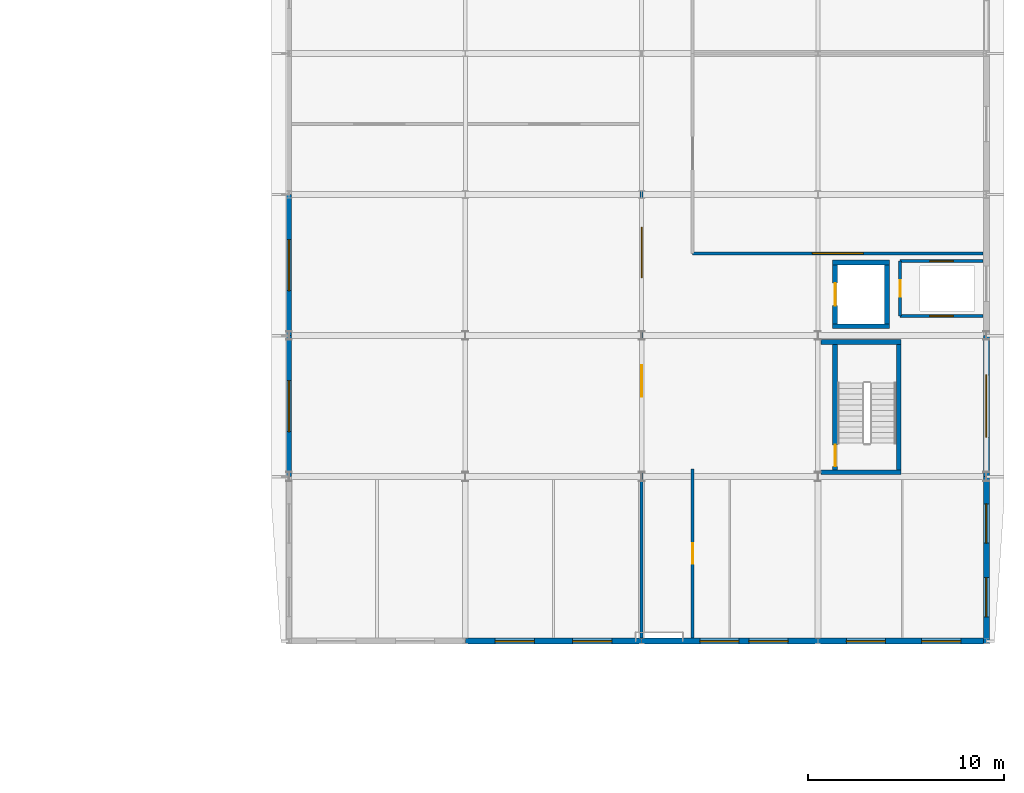
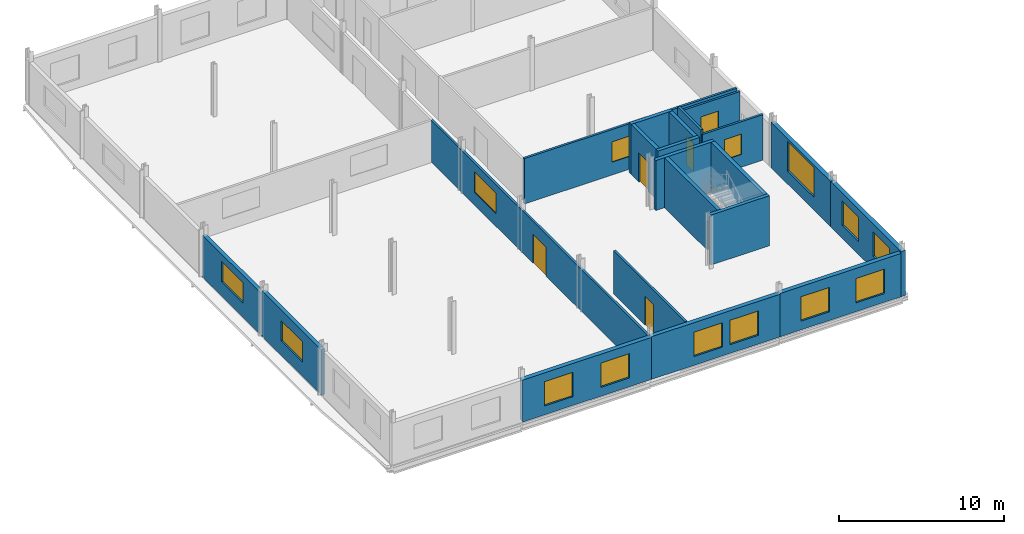
# One storey, part 44 of 49: 21 walls, 15 windows, 5 doors, 20 openings.
"""IFC4 building model written with IfcOpenShell, lengths in metres."""

import ifcopenshell
import ifcopenshell.guid

model = None  # the IFC model being written
_history = None  # IfcOwnerHistory: only IFC2X3 demands one
_inside = {}  # id of a spatial element -> (the spatial element, [elements in it])
_under = {}  # id of a project, library or spatial element -> (it, [spatial elements below it])
_declared = {}  # id of a project -> (the project, [libraries it declares])
_typed = {}  # id of a type object -> (the type object, [elements of that type])
_made_of = {}  # id of a material, layer set ... -> (it, [elements and type objects made of it])


def new_model(schema):
    """Start an empty IFC model of exactly this schema.

    Asked for "IFC4X3", IfcOpenShell would pick the latest addendum, in which some entities
    have other attributes; the version numbers below select the first issue.
    IFC2X3 requires an IfcOwnerHistory on every rooted entity: one is made here for all.
    """
    global model, _history
    if schema == "IFC4X3":
        model = ifcopenshell.file(schema_version=(4, 3, 0, 0))
    else:
        model = ifcopenshell.file(schema=schema)
    _inside.clear()
    _under.clear()
    _declared.clear()
    _typed.clear()
    _made_of.clear()
    _history = None
    if model.schema == "IFC2X3":
        org = make("IfcOrganization", Name="unknown")
        user = make(
            "IfcPersonAndOrganization",
            ThePerson=make("IfcPerson", FamilyName="unknown"),
            TheOrganization=org,
        )
        app = make(
            "IfcApplication",
            ApplicationDeveloper=org,
            Version="unknown",
            ApplicationFullName="unknown",
            ApplicationIdentifier="unknown",
        )
        _history = make(
            "IfcOwnerHistory",
            OwningUser=user,
            OwningApplication=app,
            ChangeAction="ADDED",
            CreationDate=0,
        )
    return model


def make(cls, **values):
    """One entity of the class cls with the attributes given. An attribute that is None is left unset."""
    return model.create_entity(
        cls, **{name: value for name, value in values.items() if value is not None}
    )


def rooted(cls, **values):
    """An entity with a GlobalId (a new one), such as an element, a storey or a relation."""
    return make(cls, GlobalId=ifcopenshell.guid.new(), OwnerHistory=_history, **values)


def si_unit(unit_type, name, prefix=None):
    """IfcSIUnit, for example si_unit("LENGTHUNIT", "METRE", prefix="MILLI")."""
    return make("IfcSIUnit", UnitType=unit_type, Prefix=prefix, Name=name)


def assignment(units):
    """IfcUnitAssignment: the units of a project."""
    return None if units is None else make("IfcUnitAssignment", Units=units)


def point(xyz):
    """IfcCartesianPoint."""
    return None if xyz is None else make("IfcCartesianPoint", Coordinates=xyz)


def direction(xyz):
    """IfcDirection."""
    return None if xyz is None else make("IfcDirection", DirectionRatios=xyz)


def frame(location, z_axis=None, x_axis=None):
    """IfcAxis2Placement3D, a coordinate frame: its origin and axes. An axis left out is left unset."""
    return make(
        "IfcAxis2Placement3D",
        Location=point(location),
        Axis=direction(z_axis),
        RefDirection=direction(x_axis),
    )


def frame_2d(location, x_axis=None):
    """IfcAxis2Placement2D, a coordinate frame in the plane: its origin and x axis."""
    return make(
        "IfcAxis2Placement2D", Location=point(location), RefDirection=direction(x_axis)
    )


def origin():
    """The frame at (0, 0, 0) with its axes left unset."""
    return frame((0.0, 0.0, 0.0))


def place(relative_to, where):
    """IfcLocalPlacement: puts the frame where relative to a parent placement (None: the world)."""
    return make(
        "IfcLocalPlacement", PlacementRelTo=relative_to, RelativePlacement=where
    )


def context(
    kind, dimensions, precision=None, world=None, true_north=None, identifier=None
):
    """IfcGeometricRepresentationContext, for example the 3D "Model" context."""
    return make(
        "IfcGeometricRepresentationContext",
        ContextIdentifier=identifier,
        ContextType=kind,
        CoordinateSpaceDimension=dimensions,
        Precision=precision,
        WorldCoordinateSystem=world,
        TrueNorth=true_north,
    )


def subcontext(parent, identifier, kind, view, scale=None):
    """IfcGeometricRepresentationSubContext, for example "Body" below "Model"."""
    return make(
        "IfcGeometricRepresentationSubContext",
        ContextIdentifier=identifier,
        ContextType=kind,
        ParentContext=parent,
        TargetScale=scale,
        TargetView=view,
    )


def project(units=None, contexts=None):
    """IfcProject with its units and contexts."""
    return rooted(
        "IfcProject",
        Name="project",
        RepresentationContexts=contexts,
        UnitsInContext=assignment(units),
    )


def spatial(cls, under=None, at=None, **own):
    """A site, building, storey or space (cls), placed at a placement, below another one or the project."""
    s = rooted(cls, ObjectPlacement=at, **own)
    if under is not None:
        _under.setdefault(under.id(), (under, []))[1].append(s)
    return s


def profile(cls, at=None, kind="AREA", **sizes):
    """A parametric profile (cls). Its sizes go by their IFC names, for example OverallWidth=200.0."""
    return make(cls, ProfileType=kind, Position=at, **sizes)


def rectangle(**sizes):
    """IfcRectangleProfileDef."""
    return profile("IfcRectangleProfileDef", **sizes)


def extrude(swept, where, along, depth):
    """IfcExtrudedAreaSolid: the profile swept, set in the frame where, extruded along a direction by depth."""
    return make(
        "IfcExtrudedAreaSolid",
        SweptArea=swept,
        Position=where,
        ExtrudedDirection=direction(along),
        Depth=depth,
    )


def shape(context_of_items, identifier, shape_type, items):
    """IfcShapeRepresentation: the items that make up one representation, for example the "Body"."""
    return make(
        "IfcShapeRepresentation",
        ContextOfItems=context_of_items,
        RepresentationIdentifier=identifier,
        RepresentationType=shape_type,
        Items=items,
    )


def material(Name=None, Category=None):
    """IfcMaterial."""
    return make("IfcMaterial", Name=Name, Category=Category)


def layer(
    of_material, thickness, ventilated=None, Name=None, Category=None, Priority=None
):
    """IfcMaterialLayer: one layer of a wall or slab, of a material (None: an air gap)."""
    return make(
        "IfcMaterialLayer",
        Material=of_material,
        LayerThickness=thickness,
        IsVentilated=ventilated,
        Name=Name,
        Category=Category,
        Priority=Priority,
    )


def layer_set(layers, Name=None):
    """IfcMaterialLayerSet."""
    return make("IfcMaterialLayerSet", MaterialLayers=layers, LayerSetName=Name)


def made_of(thing, what):
    """Note that an element or type object is made of a material, layer set ...; save() writes the relation."""
    if what is not None:
        _made_of.setdefault(what.id(), (what, []))[1].append(thing)
    return thing


def type_object(cls, material=None, **own):
    """A type object (cls), such as IfcWallType, which elements share."""
    return made_of(rooted(cls, **own), material)


def element(
    cls,
    number,
    at=None,
    inside=None,
    cuts=None,
    type_object=None,
    material=None,
    context=None,
    identifier="Body",
    shape_type=None,
    held_by="IfcProductDefinitionShape",
    body=None,
    shapes=None,
    **own,
):
    """One element of the class cls, such as IfcWall. Its Tag is "e" and its number.

    at: its placement. inside: the storey or other place that contains it. cuts: it is an
    opening in that element (IfcRelVoidsElement). A single representation is given by context,
    identifier, shape_type and body (its items); several are given by shapes. held_by: the class
    of the entity that holds the representations. save() writes the other relations.
    """
    e = rooted(cls, Tag="e%d" % number, ObjectPlacement=at, **own)
    if body is not None:
        shapes = [shape(context, identifier, shape_type, body)]
    if shapes is not None:
        e.Representation = make(held_by, Representations=shapes)
    if inside is not None:
        _inside.setdefault(inside.id(), (inside, []))[1].append(e)
    if cuts is not None:
        rooted(
            "IfcRelVoidsElement", RelatingBuildingElement=cuts, RelatedOpeningElement=e
        )
    if type_object is not None:
        _typed.setdefault(type_object.id(), (type_object, []))[1].append(e)
    return made_of(e, material)


def fill(opening, filler):
    """IfcRelFillsElement: the door or window that sits in an opening."""
    return rooted(
        "IfcRelFillsElement",
        RelatingOpeningElement=opening,
        RelatedBuildingElement=filler,
    )


def aggregate(whole, parts):
    """IfcRelAggregates: a whole, such as a stair, and the parts it consists of."""
    return rooted("IfcRelAggregates", RelatingObject=whole, RelatedObjects=parts)


def save(model, path):
    """Write the relations noted so far, then the file.

    IfcRelAggregates (storeys below a building ...), IfcRelContainedInSpatialStructure (elements
    in a storey), IfcRelDefinesByType, IfcRelAssociatesMaterial and IfcRelDeclares: one each for
    every whole, place, type object, material and project.
    """
    for whole, parts in _under.values():
        aggregate(whole, parts)
    for where, things in _inside.values():
        rooted(
            "IfcRelContainedInSpatialStructure",
            RelatedElements=things,
            RelatingStructure=where,
        )
    for kind, things in _typed.values():
        rooted("IfcRelDefinesByType", RelatedObjects=things, RelatingType=kind)
    for what, things in _made_of.values():
        rooted("IfcRelAssociatesMaterial", RelatedObjects=things, RelatingMaterial=what)
    for by, libraries in _declared.values():
        rooted("IfcRelDeclares", RelatingContext=by, RelatedDefinitions=libraries)
    model.write(path)


model = new_model("IFC4")

# Units and contexts
model_context = context("Model", 3, precision=1e-05, world=origin(), true_north=direction((0.0, 1.0)))
body_context = subcontext(model_context, "Body", "Model", "MODEL_VIEW")
ifc_project = project(units=[si_unit("LENGTHUNIT", "METRE"), si_unit("AREAUNIT", "SQUARE_METRE"), si_unit("VOLUMEUNIT", "CUBIC_METRE"), si_unit("PLANEANGLEUNIT", "RADIAN"), si_unit("MASSUNIT", "GRAM", prefix="KILO")], contexts=[model_context])

# Site, building, storey
site_placement = place(None, origin())
site = spatial("IfcSite", under=ifc_project, at=site_placement, CompositionType="ELEMENT")
building_placement = place(site_placement, origin())
building = spatial("IfcBuilding", under=site, at=building_placement, Name="Vinh Khe Railworks Police Headquarters", CompositionType="ELEMENT")
storey_placement = place(building_placement, frame((0.0, 0.0, 17.10009765625)))
storey = spatial("IfcBuildingStorey", under=building, at=storey_placement, Name="L04", CompositionType="ELEMENT", Elevation=17.10009765625)

# Walls
ifc_material_1 = material(Name="Concrete C40/50 (B40)", Category="concrete")
ifc_layer_1 = layer(ifc_material_1, 0.25)
ifc_layer_set_1 = layer_set([ifc_layer_1], Name="Concrete C40/50 (B40)")
wall_type_1 = type_object("IfcWallType", Name="Core Shear Wall 250", PredefinedType="SHEAR", material=ifc_layer_set_1)
for number, where, z_axis, x_axis, name in (
    (1, (105.14990234375, 131.02490234375, 0.0), (0.0, 0.0, 1.0), (1.0, 0.0, 0.0), "Core C3 STAIR-S Shear Wall (L04)"),
    (2, (105.14990234375, 137.675048828125, 0.0), (0.0, 0.0, 1.0), (1.0, 0.0, 0.0), "Core C3 STAIR-N Shear Wall (L04)"),
):
    element("IfcWall", number, at=place(storey_placement, frame(where, z_axis=z_axis, x_axis=x_axis)), inside=storey, type_object=wall_type_1, Name=name, PredefinedType="SHEAR", context=body_context, shape_type="SweptSolid", body=[
        extrude(rectangle(XDim=4.10009765625, YDim=0.25, at=frame_2d((2.050048828125, 0.0))), origin(), (0.0, 0.0, 1.0), 3.699951171875),
    ])

# Wall, opening, door
wall_1_placement = place(storey_placement, frame((105.875, 131.14990234375, 0.0), z_axis=(0.0, 0.0, 1.0), x_axis=(0.0, 1.0, 0.0)))
wall_1 = element("IfcWall", 3, at=wall_1_placement, inside=storey, type_object=wall_type_1, Name="Core C3 STAIR-W Shear Wall (L04)", PredefinedType="SHEAR", context=body_context, shape_type="SweptSolid", body=[
    extrude(rectangle(XDim=6.400146484375, YDim=0.25, at=frame_2d((3.2001953125, 0.0))), origin(), (0.0, 0.0, 1.0), 3.699951171875),
])
opening_1_placement = place(wall_1_placement, frame((0.169921875, 0.0, 0.0)))
opening_1 = element("IfcOpeningElement", 4, at=opening_1_placement, cuts=wall_1, Name="Opening FD-01", PredefinedType="OPENING", context=body_context, shape_type="SweptSolid", body=[
    extrude(rectangle(XDim=1.10009765625, YDim=2.14990234375, at=frame_2d((0.550048828125, 1.074951171875))), frame((0.0, 0.139892578125, 0.0), z_axis=(0.0, -1.0, 0.0), x_axis=(1.0, 0.0, 0.0)), (0.0, 0.0, 1.0), 0.27978515625),
])
ifc_material_2 = material(Name="Painted galvanised steel", Category="steel")
door_type_1 = type_object("IfcDoorType", Name="FD-1100x2150", OperationType="NOTDEFINED", PredefinedType="DOOR", material=ifc_material_2)
door_1_placement = place(opening_1_placement, origin())
door_1 = element("IfcDoor", 5, at=door_1_placement, inside=storey, type_object=door_type_1, Name="Escape Stair ST-03 Fire Door L04", OperationType="SINGLE_SWING_LEFT", OverallHeight=2.14990234375, OverallWidth=1.10009765625, PredefinedType="DOOR", context=body_context, shape_type="SweptSolid", body=[
    extrude(rectangle(XDim=1.10009765625, YDim=2.14990234375, at=frame_2d((0.550048828125, 1.074951171875))), frame((0.0, 0.02490234375, 0.0), z_axis=(0.0, -1.0, 0.0), x_axis=(1.0, 0.0, 0.0)), (0.0, 0.0, 1.0), 0.050048828125),
])
fill(opening_1, door_1)

# Walls
wall_2_placement = place(storey_placement, frame((109.125, 131.14990234375, 0.0), z_axis=(0.0, 0.0, 1.0), x_axis=(0.0, 1.0, 0.0)))
element("IfcWall", 6, at=wall_2_placement, inside=storey, type_object=wall_type_1, Name="Core C3 STAIR-E Shear Wall (L04)", PredefinedType="SHEAR", context=body_context, shape_type="SweptSolid", body=[
    extrude(rectangle(XDim=6.400146484375, YDim=0.25, at=frame_2d((3.2001953125, 0.0))), origin(), (0.0, 0.0, 1.0), 3.699951171875),
])
for number, where, z_axis, x_axis, name in (
    (7, (105.75, 138.47509765625, 0.0), (0.0, 0.0, 1.0), (1.0, 0.0, 0.0), "Core C3 PL-S Lift Shaft Wall (L04)"),
    (8, (105.75, 141.72509765625, 0.0), (0.0, 0.0, 1.0), (1.0, 0.0, 0.0), "Core C3 PL-N Lift Shaft Wall (L04)"),
):
    element("IfcWall", number, at=place(storey_placement, frame(where, z_axis=z_axis, x_axis=x_axis)), inside=storey, type_object=wall_type_1, Name=name, PredefinedType="SHEAR", context=body_context, shape_type="SweptSolid", body=[
        extrude(rectangle(XDim=2.89990234375, YDim=0.25, at=frame_2d((1.449951171875, 0.0))), origin(), (0.0, 0.0, 1.0), 3.699951171875),
    ])

# Wall, opening, door
wall_3_placement = place(storey_placement, frame((105.875, 138.60009765625, 0.0), z_axis=(0.0, 0.0, 1.0), x_axis=(0.0, 1.0, 0.0)))
wall_3 = element("IfcWall", 9, at=wall_3_placement, inside=storey, type_object=wall_type_1, Name="Core C3 PL-W Lift Shaft Wall (L04)", PredefinedType="SHEAR", context=body_context, shape_type="SweptSolid", body=[
    extrude(rectangle(XDim=3.0, YDim=0.25, at=frame_2d((1.5, 0.0))), origin(), (0.0, 0.0, 1.0), 3.699951171875),
])
opening_2_placement = place(wall_3_placement, frame((0.925048828125, 0.0, 0.0)))
opening_2 = element("IfcOpeningElement", 10, at=opening_2_placement, cuts=wall_3, Name="Opening LD-03", PredefinedType="OPENING", context=body_context, shape_type="SweptSolid", body=[
    extrude(rectangle(XDim=1.14990234375, YDim=2.14990234375, at=frame_2d((0.574951171875, 1.074951171875))), frame((0.0, 0.139892578125, 0.0), z_axis=(0.0, -1.0, 0.0), x_axis=(1.0, 0.0, 0.0)), (0.0, 0.0, 1.0), 0.27978515625),
])
door_type_2 = type_object("IfcDoorType", Name="LD-CUST-1150", OperationType="SLIDING_TO_LEFT", PredefinedType="DOOR", material=ifc_material_2)
door_2_placement = place(opening_2_placement, origin())
door_2 = element("IfcDoor", 11, at=door_2_placement, inside=storey, type_object=door_type_2, Name="Lift Landing Door PL-03 L04", OperationType="SLIDING_TO_LEFT", OverallHeight=2.14990234375, OverallWidth=1.14990234375, PredefinedType="DOOR", context=body_context, shape_type="SweptSolid", body=[
    extrude(rectangle(XDim=1.14990234375, YDim=2.14990234375, at=frame_2d((0.574951171875, 1.074951171875))), frame((0.0, 0.02490234375, 0.0), z_axis=(0.0, -1.0, 0.0), x_axis=(1.0, 0.0, 0.0)), (0.0, 0.0, 1.0), 0.050048828125),
])
fill(opening_2, door_2)

# Wall
wall_4_placement = place(storey_placement, frame((108.52490234375, 138.60009765625, 0.0), z_axis=(0.0, 0.0, 1.0), x_axis=(0.0, 1.0, 0.0)))
element("IfcWall", 12, at=wall_4_placement, inside=storey, type_object=wall_type_1, Name="Core C3 PL-E Lift Shaft Wall (L04)", PredefinedType="SHEAR", context=body_context, shape_type="SweptSolid", body=[
    extrude(rectangle(XDim=3.0, YDim=0.25, at=frame_2d((1.5, 0.0))), origin(), (0.0, 0.0, 1.0), 3.699951171875),
])

# Wall, opening, window
ifc_material_3 = material(Name="Clay brickwork", Category="masonry")
ifc_layer_2 = layer(ifc_material_3, 0.260009765625)
ifc_layer_set_2 = layer_set([ifc_layer_2], Name="Clay brickwork")
wall_type_2 = type_object("IfcWallType", Name="EW-BRK-260", PredefinedType="SOLIDWALL", material=ifc_layer_set_2)
wall_5_placement = place(storey_placement, frame((78.0, 130.800048828125, 0.0), z_axis=(0.0, 0.0, 1.0), x_axis=(0.0, 1.0, 0.0)))
wall_5 = element("IfcWall", 13, at=wall_5_placement, inside=storey, type_object=wall_type_2, Name="Exterior Brick Wall EW-L04-V6W-02", PredefinedType="SOLIDWALL", context=body_context, shape_type="SweptSolid", body=[
    extrude(rectangle(XDim=7.199951171875, YDim=0.260009765625, at=frame_2d((3.60009765625, 0.0))), origin(), (0.0, 0.0, 1.0), 3.344970703125),
])
opening_3_placement = place(wall_5_placement, frame((2.300048828125, 0.0, 1.050048828125)))
opening_3 = element("IfcOpeningElement", 14, at=opening_3_placement, cuts=wall_5, Name="Opening WN-07", PredefinedType="OPENING", context=body_context, shape_type="SweptSolid", body=[
    extrude(rectangle(XDim=2.60009765625, YDim=1.5, at=frame_2d((1.300048828125, 0.75))), frame((0.0, 0.14501953125, 0.0), z_axis=(0.0, -1.0, 0.0), x_axis=(1.0, 0.0, 0.0)), (0.0, 0.0, 1.0), 0.289794921875),
])
ifc_material_4 = material(Name="Double-glazed solar-control glass in dark steel frame", Category="steel")
window_type_1 = type_object("IfcWindowType", Name="WIN-WN-07", PartitioningType="DOUBLE_PANEL_HORIZONTAL", PredefinedType="WINDOW", material=ifc_material_4)
window_1_placement = place(opening_3_placement, origin())
window_1 = element("IfcWindow", 15, at=window_1_placement, inside=storey, type_object=window_type_1, Name="Casement Window WN-07", OverallHeight=1.5, OverallWidth=2.60009765625, PartitioningType="SINGLE_PANEL", PredefinedType="WINDOW", context=body_context, shape_type="SweptSolid", body=[
    extrude(rectangle(XDim=2.60009765625, YDim=1.5, at=frame_2d((1.300048828125, 0.75))), frame((0.0, 0.030029296875, 0.0), z_axis=(0.0, -1.0, 0.0), x_axis=(1.0, 0.0, 0.0)), (0.0, 0.0, 1.0), 0.06005859375),
])
fill(opening_3, window_1)

wall_6_placement = place(storey_placement, frame((78.0, 138.0, 0.0), z_axis=(0.0, 0.0, 1.0), x_axis=(0.0, 1.0, 0.0)))
wall_6 = element("IfcWall", 16, at=wall_6_placement, inside=storey, type_object=wall_type_2, Name="Exterior Brick Wall EW-L04-V6W-03", PredefinedType="SOLIDWALL", context=body_context, shape_type="SweptSolid", body=[
    extrude(rectangle(XDim=7.199951171875, YDim=0.260009765625, at=frame_2d((3.60009765625, 0.0))), origin(), (0.0, 0.0, 1.0), 3.094970703125),
])
opening_4_placement = place(wall_6_placement, frame((2.300048828125, 0.0, 1.050048828125)))
opening_4 = element("IfcOpeningElement", 17, at=opening_4_placement, cuts=wall_6, Name="Opening WN-07", PredefinedType="OPENING", context=body_context, shape_type="SweptSolid", body=[
    extrude(rectangle(XDim=2.60009765625, YDim=1.5, at=frame_2d((1.300048828125, 0.75))), frame((0.0, 0.14501953125, 0.0), z_axis=(0.0, -1.0, 0.0), x_axis=(1.0, 0.0, 0.0)), (0.0, 0.0, 1.0), 0.289794921875),
])
window_2_placement = place(opening_4_placement, origin())
window_2 = element("IfcWindow", 18, at=window_2_placement, inside=storey, type_object=window_type_1, Name="Casement Window WN-07", OverallHeight=1.5, OverallWidth=2.60009765625, PartitioningType="SINGLE_PANEL", PredefinedType="WINDOW", context=body_context, shape_type="SweptSolid", body=[
    extrude(rectangle(XDim=2.60009765625, YDim=1.5, at=frame_2d((1.300048828125, 0.75))), frame((0.0, 0.030029296875, 0.0), z_axis=(0.0, -1.0, 0.0), x_axis=(1.0, 0.0, 0.0)), (0.0, 0.0, 1.0), 0.06005859375),
])
fill(opening_4, window_2)

# Wall, openings, windows
ifc_layer_3 = layer(ifc_material_3, 0.300048828125)
ifc_layer_set_3 = layer_set([ifc_layer_3], Name="Clay brickwork")
wall_type_3 = type_object("IfcWallType", Name="EW-BRK-300", PredefinedType="SOLIDWALL", material=ifc_layer_set_3)
wall_7_placement = place(storey_placement, frame((113.60009765625, 122.25, 0.0), z_axis=(0.0, 0.0, 1.0), x_axis=(0.0, 1.0, 0.0)))
wall_7 = element("IfcWall", 19, at=wall_7_placement, inside=storey, type_object=wall_type_3, Name="Exterior Brick Wall EW-L04-V6E-01", PredefinedType="SOLIDWALL", context=body_context, shape_type="SweptSolid", body=[
    extrude(rectangle(XDim=8.550048828125, YDim=0.300048828125, at=frame_2d((4.27490234375, 0.0))), origin(), (0.0, 0.0, 1.0), 3.344970703125),
])
opening_5_placement = place(wall_7_placement, frame((1.39404296875, 0.0, 0.949951171875)))
opening_5 = element("IfcOpeningElement", 20, at=opening_5_placement, cuts=wall_7, Name="Opening WN-04", PredefinedType="OPENING", context=body_context, shape_type="SweptSolid", body=[
    extrude(rectangle(XDim=2.0, YDim=1.800048828125, at=frame_2d((1.0, 0.89990234375))), frame((0.0, 0.1650390625, 0.0), z_axis=(0.0, -1.0, 0.0), x_axis=(1.0, 0.0, 0.0)), (0.0, 0.0, 1.0), 0.329833984375),
])
opening_6_placement = place(wall_7_placement, frame((5.156005859375, 0.0, 0.949951171875)))
opening_6 = element("IfcOpeningElement", 21, at=opening_6_placement, cuts=wall_7, Name="Opening WN-04", PredefinedType="OPENING", context=body_context, shape_type="SweptSolid", body=[
    extrude(rectangle(XDim=2.0, YDim=1.800048828125, at=frame_2d((1.0, 0.89990234375))), frame((0.0, 0.1650390625, 0.0), z_axis=(0.0, -1.0, 0.0), x_axis=(1.0, 0.0, 0.0)), (0.0, 0.0, 1.0), 0.329833984375),
])
window_type_2 = type_object("IfcWindowType", Name="WIN-WN-04", PartitioningType="DOUBLE_PANEL_VERTICAL", PredefinedType="WINDOW", material=ifc_material_4)
window_3_placement = place(opening_5_placement, origin())
window_3 = element("IfcWindow", 22, at=window_3_placement, inside=storey, type_object=window_type_2, Name="Casement Window WN-04", OverallHeight=1.800048828125, OverallWidth=2.0, PartitioningType="SINGLE_PANEL", PredefinedType="WINDOW", context=body_context, shape_type="SweptSolid", body=[
    extrude(rectangle(XDim=2.0, YDim=1.800048828125, at=frame_2d((1.0, 0.89990234375))), frame((0.0, 0.030029296875, 0.0), z_axis=(0.0, -1.0, 0.0), x_axis=(1.0, 0.0, 0.0)), (0.0, 0.0, 1.0), 0.06005859375),
])
fill(opening_5, window_3)
window_4_placement = place(opening_6_placement, origin())
window_4 = element("IfcWindow", 23, at=window_4_placement, inside=storey, type_object=window_type_2, Name="Casement Window WN-04", OverallHeight=1.800048828125, OverallWidth=2.0, PartitioningType="SINGLE_PANEL", PredefinedType="WINDOW", context=body_context, shape_type="SweptSolid", body=[
    extrude(rectangle(XDim=2.0, YDim=1.800048828125, at=frame_2d((1.0, 0.89990234375))), frame((0.0, 0.030029296875, 0.0), z_axis=(0.0, -1.0, 0.0), x_axis=(1.0, 0.0, 0.0)), (0.0, 0.0, 1.0), 0.06005859375),
])
fill(opening_6, window_4)

# Wall, opening, window
wall_8_placement = place(storey_placement, frame((113.60009765625, 130.800048828125, 0.0), z_axis=(0.0, 0.0, 1.0), x_axis=(0.0, 1.0, 0.0)))
wall_8 = element("IfcWall", 24, at=wall_8_placement, inside=storey, type_object=wall_type_3, Name="Exterior Brick Wall EW-L04-V6E-02", PredefinedType="SOLIDWALL", context=body_context, shape_type="SweptSolid", body=[
    extrude(rectangle(XDim=7.199951171875, YDim=0.300048828125, at=frame_2d((3.60009765625, 0.0))), origin(), (0.0, 0.0, 1.0), 3.344970703125),
])
opening_7_placement = place(wall_8_placement, frame((2.0, 0.0, 0.949951171875)))
opening_7 = element("IfcOpeningElement", 25, at=opening_7_placement, cuts=wall_8, Name="Opening WN-03", PredefinedType="OPENING", context=body_context, shape_type="SweptSolid", body=[
    extrude(rectangle(XDim=3.199951171875, YDim=2.199951171875, at=frame_2d((1.60009765625, 1.10009765625))), frame((0.0, 0.1650390625, 0.0), z_axis=(0.0, -1.0, 0.0), x_axis=(1.0, 0.0, 0.0)), (0.0, 0.0, 1.0), 0.329833984375),
])
window_type_3 = type_object("IfcWindowType", Name="WIN-WN-03", PartitioningType="TRIPLE_PANEL_VERTICAL", PredefinedType="WINDOW", material=ifc_material_4)
window_5_placement = place(opening_7_placement, origin())
window_5 = element("IfcWindow", 26, at=window_5_placement, inside=storey, type_object=window_type_3, Name="Casement Window WN-03", OverallHeight=2.199951171875, OverallWidth=3.199951171875, PartitioningType="SINGLE_PANEL", PredefinedType="WINDOW", context=body_context, shape_type="SweptSolid", body=[
    extrude(rectangle(XDim=3.199951171875, YDim=2.199951171875, at=frame_2d((1.60009765625, 1.10009765625))), frame((0.0, 0.030029296875, 0.0), z_axis=(0.0, -1.0, 0.0), x_axis=(1.0, 0.0, 0.0)), (0.0, 0.0, 1.0), 0.06005859375),
])
fill(opening_7, window_5)

# Wall, openings, windows
wall_9_placement = place(storey_placement, frame((87.0, 122.39990234375, 0.0), z_axis=(0.0, 0.0, 1.0), x_axis=(1.0, 0.0, 0.0)))
wall_9 = element("IfcWall", 27, at=wall_9_placement, inside=storey, type_object=wall_type_3, Name="Exterior Brick Wall EW-L04-V6S-02", PredefinedType="SOLIDWALL", context=body_context, shape_type="SweptSolid", body=[
    extrude(rectangle(XDim=9.0, YDim=0.300048828125, at=frame_2d((4.5, 0.0))), origin(), (0.0, 0.0, 1.0), 3.10498046875),
])
opening_8_placement = place(wall_9_placement, frame((1.52001953125, 0.0, 0.64990234375)))
opening_8 = element("IfcOpeningElement", 28, at=opening_8_placement, cuts=wall_9, Name="Opening WN-04", PredefinedType="OPENING", context=body_context, shape_type="SweptSolid", body=[
    extrude(rectangle(XDim=2.0, YDim=1.800048828125, at=frame_2d((1.0, 0.89990234375))), frame((0.0, 0.1650390625, 0.0), z_axis=(0.0, -1.0, 0.0), x_axis=(1.0, 0.0, 0.0)), (0.0, 0.0, 1.0), 0.329833984375),
])
opening_9_placement = place(wall_9_placement, frame((5.47998046875, 0.0, 0.64990234375)))
opening_9 = element("IfcOpeningElement", 29, at=opening_9_placement, cuts=wall_9, Name="Opening WN-04", PredefinedType="OPENING", context=body_context, shape_type="SweptSolid", body=[
    extrude(rectangle(XDim=2.0, YDim=1.800048828125, at=frame_2d((1.0, 0.89990234375))), frame((0.0, 0.1650390625, 0.0), z_axis=(0.0, -1.0, 0.0), x_axis=(1.0, 0.0, 0.0)), (0.0, 0.0, 1.0), 0.329833984375),
])
window_6_placement = place(opening_8_placement, origin())
window_6 = element("IfcWindow", 30, at=window_6_placement, inside=storey, type_object=window_type_2, Name="Casement Window WN-04", OverallHeight=1.800048828125, OverallWidth=2.0, PartitioningType="SINGLE_PANEL", PredefinedType="WINDOW", context=body_context, shape_type="SweptSolid", body=[
    extrude(rectangle(XDim=2.0, YDim=1.800048828125, at=frame_2d((1.0, 0.89990234375))), frame((0.0, 0.030029296875, 0.0), z_axis=(0.0, -1.0, 0.0), x_axis=(1.0, 0.0, 0.0)), (0.0, 0.0, 1.0), 0.06005859375),
])
fill(opening_8, window_6)
window_7_placement = place(opening_9_placement, origin())
window_7 = element("IfcWindow", 31, at=window_7_placement, inside=storey, type_object=window_type_2, Name="Casement Window WN-04", OverallHeight=1.800048828125, OverallWidth=2.0, PartitioningType="SINGLE_PANEL", PredefinedType="WINDOW", context=body_context, shape_type="SweptSolid", body=[
    extrude(rectangle(XDim=2.0, YDim=1.800048828125, at=frame_2d((1.0, 0.89990234375))), frame((0.0, 0.030029296875, 0.0), z_axis=(0.0, -1.0, 0.0), x_axis=(1.0, 0.0, 0.0)), (0.0, 0.0, 1.0), 0.06005859375),
])
fill(opening_9, window_7)

wall_10_placement = place(storey_placement, frame((96.0, 122.39990234375, 0.0), z_axis=(0.0, 0.0, 1.0), x_axis=(1.0, 0.0, 0.0)))
wall_10 = element("IfcWall", 32, at=wall_10_placement, inside=storey, type_object=wall_type_3, Name="Exterior Brick Wall EW-L04-V6S-03", PredefinedType="SOLIDWALL", context=body_context, shape_type="SweptSolid", body=[
    extrude(rectangle(XDim=9.0, YDim=0.300048828125, at=frame_2d((4.5, 0.0))), origin(), (0.0, 0.0, 1.0), 3.15478515625),
])
opening_10_placement = place(wall_10_placement, frame((2.969970703125, 0.0, 0.64990234375)))
opening_10 = element("IfcOpeningElement", 33, at=opening_10_placement, cuts=wall_10, Name="Opening WN-04", PredefinedType="OPENING", context=body_context, shape_type="SweptSolid", body=[
    extrude(rectangle(XDim=2.0, YDim=1.800048828125, at=frame_2d((1.0, 0.89990234375))), frame((0.0, 0.1650390625, 0.0), z_axis=(0.0, -1.0, 0.0), x_axis=(1.0, 0.0, 0.0)), (0.0, 0.0, 1.0), 0.329833984375),
])
opening_11_placement = place(wall_10_placement, frame((5.47998046875, 0.0, 0.64990234375)))
opening_11 = element("IfcOpeningElement", 34, at=opening_11_placement, cuts=wall_10, Name="Opening WN-04", PredefinedType="OPENING", context=body_context, shape_type="SweptSolid", body=[
    extrude(rectangle(XDim=2.0, YDim=1.800048828125, at=frame_2d((1.0, 0.89990234375))), frame((0.0, 0.1650390625, 0.0), z_axis=(0.0, -1.0, 0.0), x_axis=(1.0, 0.0, 0.0)), (0.0, 0.0, 1.0), 0.329833984375),
])
window_8_placement = place(opening_10_placement, origin())
window_8 = element("IfcWindow", 35, at=window_8_placement, inside=storey, type_object=window_type_2, Name="Casement Window WN-04", OverallHeight=1.800048828125, OverallWidth=2.0, PartitioningType="SINGLE_PANEL", PredefinedType="WINDOW", context=body_context, shape_type="SweptSolid", body=[
    extrude(rectangle(XDim=2.0, YDim=1.800048828125, at=frame_2d((1.0, 0.89990234375))), frame((0.0, 0.030029296875, 0.0), z_axis=(0.0, -1.0, 0.0), x_axis=(1.0, 0.0, 0.0)), (0.0, 0.0, 1.0), 0.06005859375),
])
fill(opening_10, window_8)
window_9_placement = place(opening_11_placement, origin())
window_9 = element("IfcWindow", 36, at=window_9_placement, inside=storey, type_object=window_type_2, Name="Casement Window WN-04", OverallHeight=1.800048828125, OverallWidth=2.0, PartitioningType="SINGLE_PANEL", PredefinedType="WINDOW", context=body_context, shape_type="SweptSolid", body=[
    extrude(rectangle(XDim=2.0, YDim=1.800048828125, at=frame_2d((1.0, 0.89990234375))), frame((0.0, 0.030029296875, 0.0), z_axis=(0.0, -1.0, 0.0), x_axis=(1.0, 0.0, 0.0)), (0.0, 0.0, 1.0), 0.06005859375),
])
fill(opening_11, window_9)

wall_11_placement = place(storey_placement, frame((105.0, 122.39990234375, 0.0), z_axis=(0.0, 0.0, 1.0), x_axis=(1.0, 0.0, 0.0)))
wall_11 = element("IfcWall", 37, at=wall_11_placement, inside=storey, type_object=wall_type_3, Name="Exterior Brick Wall EW-L04-V6S-04", PredefinedType="SOLIDWALL", context=body_context, shape_type="SweptSolid", body=[
    extrude(rectangle(XDim=8.75, YDim=0.300048828125, at=frame_2d((4.375, 0.0))), origin(), (0.0, 0.0, 1.0), 3.204833984375),
])
opening_12_placement = place(wall_11_placement, frame((1.449951171875, 0.0, 0.64990234375)))
opening_12 = element("IfcOpeningElement", 38, at=opening_12_placement, cuts=wall_11, Name="Opening WN-04", PredefinedType="OPENING", context=body_context, shape_type="SweptSolid", body=[
    extrude(rectangle(XDim=2.0, YDim=1.800048828125, at=frame_2d((1.0, 0.89990234375))), frame((0.0, 0.1650390625, 0.0), z_axis=(0.0, -1.0, 0.0), x_axis=(1.0, 0.0, 0.0)), (0.0, 0.0, 1.0), 0.329833984375),
])
opening_13_placement = place(wall_11_placement, frame((5.300048828125, 0.0, 0.64990234375)))
opening_13 = element("IfcOpeningElement", 39, at=opening_13_placement, cuts=wall_11, Name="Opening WN-04", PredefinedType="OPENING", context=body_context, shape_type="SweptSolid", body=[
    extrude(rectangle(XDim=2.0, YDim=1.800048828125, at=frame_2d((1.0, 0.89990234375))), frame((0.0, 0.1650390625, 0.0), z_axis=(0.0, -1.0, 0.0), x_axis=(1.0, 0.0, 0.0)), (0.0, 0.0, 1.0), 0.329833984375),
])
window_10_placement = place(opening_12_placement, origin())
window_10 = element("IfcWindow", 40, at=window_10_placement, inside=storey, type_object=window_type_2, Name="Casement Window WN-04", OverallHeight=1.800048828125, OverallWidth=2.0, PartitioningType="SINGLE_PANEL", PredefinedType="WINDOW", context=body_context, shape_type="SweptSolid", body=[
    extrude(rectangle(XDim=2.0, YDim=1.800048828125, at=frame_2d((1.0, 0.89990234375))), frame((0.0, 0.030029296875, 0.0), z_axis=(0.0, -1.0, 0.0), x_axis=(1.0, 0.0, 0.0)), (0.0, 0.0, 1.0), 0.06005859375),
])
fill(opening_12, window_10)
window_11_placement = place(opening_13_placement, origin())
window_11 = element("IfcWindow", 41, at=window_11_placement, inside=storey, type_object=window_type_2, Name="Casement Window WN-04", OverallHeight=1.800048828125, OverallWidth=2.0, PartitioningType="SINGLE_PANEL", PredefinedType="WINDOW", context=body_context, shape_type="SweptSolid", body=[
    extrude(rectangle(XDim=2.0, YDim=1.800048828125, at=frame_2d((1.0, 0.89990234375))), frame((0.0, 0.030029296875, 0.0), z_axis=(0.0, -1.0, 0.0), x_axis=(1.0, 0.0, 0.0)), (0.0, 0.0, 1.0), 0.06005859375),
])
fill(opening_13, window_11)

# Wall, opening, window
ifc_material_5 = material(Name="Gypsum plasterboard on steel stud", Category="steel")
ifc_layer_4 = layer(ifc_material_5, 0.1201171875)
ifc_layer_set_4 = layer_set([ifc_layer_4], Name="Gypsum plasterboard on steel stud")
wall_type_4 = type_object("IfcWallType", Name="IW-PART-120", PredefinedType="PARTITIONING", material=ifc_layer_set_4)
wall_12_placement = place(storey_placement, frame((98.60009765625, 142.199951171875, 0.0), z_axis=(0.0, 0.0, 1.0), x_axis=(1.0, 0.0, 0.0)))
wall_12 = element("IfcWall", 42, at=wall_12_placement, inside=storey, type_object=wall_type_4, Name="Interior Partition W-L04-V6B-LSEM1-DIV", PredefinedType="PARTITIONING", context=body_context, shape_type="SweptSolid", body=[
    extrude(rectangle(XDim=14.83984375, YDim=0.14990234375, at=frame_2d((7.419921875, 0.0))), origin(), (0.0, 0.0, 1.0), 3.364990234375),
])
opening_14_placement = place(wall_12_placement, frame((6.1201171875, 0.0, 0.949951171875)))
opening_14 = element("IfcOpeningElement", 43, at=opening_14_placement, cuts=wall_12, Name="Opening WN-07", PredefinedType="OPENING", context=body_context, shape_type="SweptSolid", body=[
    extrude(rectangle(XDim=2.60009765625, YDim=1.5, at=frame_2d((1.300048828125, 0.75))), frame((0.0, 0.08984375, 0.0), z_axis=(0.0, -1.0, 0.0), x_axis=(1.0, 0.0, 0.0)), (0.0, 0.0, 1.0), 0.1796875),
])
window_12_placement = place(opening_14_placement, origin())
window_12 = element("IfcWindow", 44, at=window_12_placement, inside=storey, type_object=window_type_1, Name="Interior Acoustic Vision Window WN-07", OverallHeight=1.5, OverallWidth=2.60009765625, PartitioningType="SINGLE_PANEL", PredefinedType="WINDOW", context=body_context, shape_type="SweptSolid", body=[
    extrude(rectangle(XDim=2.60009765625, YDim=1.5, at=frame_2d((1.300048828125, 0.75))), frame((0.0, 0.030029296875, 0.0), z_axis=(0.0, -1.0, 0.0), x_axis=(1.0, 0.0, 0.0)), (0.0, 0.0, 1.0), 0.06005859375),
])
fill(opening_14, window_12)

ifc_material_6 = material(Name="Gypsum plasterboard on acoustic steel stud", Category="steel")
ifc_layer_5 = layer(ifc_material_6, 0.14990234375)
ifc_layer_set_5 = layer_set([ifc_layer_5], Name="Gypsum plasterboard on acoustic steel stud")
wall_type_5 = type_object("IfcWallType", Name="IW-PART-150", PredefinedType="PARTITIONING", material=ifc_layer_set_5)
wall_13_placement = place(storey_placement, frame((109.199951171875, 139.0, 0.0), z_axis=(0.0, 0.0, 1.0), x_axis=(1.0, 0.0, 0.0)))
wall_13 = element("IfcWall", 45, at=wall_13_placement, inside=storey, type_object=wall_type_5, Name="Interior Partition W-RSR-C3-S-L04", PredefinedType="PARTITIONING", context=body_context, shape_type="SweptSolid", body=[
    extrude(rectangle(XDim=4.239990234375, YDim=0.14990234375, at=frame_2d((2.1201171875, 0.0))), origin(), (0.0, 0.0, 1.0), 3.364990234375),
])
opening_15_placement = place(wall_13_placement, frame((1.52001953125, 0.0, 0.949951171875)))
opening_15 = element("IfcOpeningElement", 46, at=opening_15_placement, cuts=wall_13, Name="Opening WN-10", PredefinedType="OPENING", context=body_context, shape_type="SweptSolid", body=[
    extrude(rectangle(XDim=1.199951171875, YDim=1.5, at=frame_2d((0.60009765625, 0.75))), frame((0.0, 0.08984375, 0.0), z_axis=(0.0, -1.0, 0.0), x_axis=(1.0, 0.0, 0.0)), (0.0, 0.0, 1.0), 0.1796875),
])
window_type_4 = type_object("IfcWindowType", Name="WIN-WN-10", PartitioningType="SINGLE_PANEL", PredefinedType="WINDOW", material=ifc_material_4)
window_13_placement = place(opening_15_placement, origin())
window_13 = element("IfcWindow", 47, at=window_13_placement, inside=storey, type_object=window_type_4, Name="Interior Acoustic Vision Window WN-10", OverallHeight=1.5, OverallWidth=1.199951171875, PartitioningType="SINGLE_PANEL", PredefinedType="WINDOW", context=body_context, shape_type="SweptSolid", body=[
    extrude(rectangle(XDim=1.199951171875, YDim=1.5, at=frame_2d((0.60009765625, 0.75))), frame((0.0, 0.030029296875, 0.0), z_axis=(0.0, -1.0, 0.0), x_axis=(1.0, 0.0, 0.0)), (0.0, 0.0, 1.0), 0.06005859375),
])
fill(opening_15, window_13)

wall_14_placement = place(storey_placement, frame((109.199951171875, 141.800048828125, 0.0), z_axis=(0.0, 0.0, 1.0), x_axis=(1.0, 0.0, 0.0)))
wall_14 = element("IfcWall", 48, at=wall_14_placement, inside=storey, type_object=wall_type_5, Name="Interior Partition W-RSR-C3-N-L04", PredefinedType="PARTITIONING", context=body_context, shape_type="SweptSolid", body=[
    extrude(rectangle(XDim=4.239990234375, YDim=0.14990234375, at=frame_2d((2.1201171875, 0.0))), origin(), (0.0, 0.0, 1.0), 3.364990234375),
])
opening_16_placement = place(wall_14_placement, frame((1.52001953125, 0.0, 0.949951171875)))
opening_16 = element("IfcOpeningElement", 49, at=opening_16_placement, cuts=wall_14, Name="Opening WN-10", PredefinedType="OPENING", context=body_context, shape_type="SweptSolid", body=[
    extrude(rectangle(XDim=1.199951171875, YDim=1.5, at=frame_2d((0.60009765625, 0.75))), frame((0.0, 0.08984375, 0.0), z_axis=(0.0, -1.0, 0.0), x_axis=(1.0, 0.0, 0.0)), (0.0, 0.0, 1.0), 0.1796875),
])
window_14_placement = place(opening_16_placement, origin())
window_14 = element("IfcWindow", 50, at=window_14_placement, inside=storey, type_object=window_type_4, Name="Interior Acoustic Vision Window WN-10", OverallHeight=1.5, OverallWidth=1.199951171875, PartitioningType="SINGLE_PANEL", PredefinedType="WINDOW", context=body_context, shape_type="SweptSolid", body=[
    extrude(rectangle(XDim=1.199951171875, YDim=1.5, at=frame_2d((0.60009765625, 0.75))), frame((0.0, 0.030029296875, 0.0), z_axis=(0.0, -1.0, 0.0), x_axis=(1.0, 0.0, 0.0)), (0.0, 0.0, 1.0), 0.06005859375),
])
fill(opening_16, window_14)

# Wall, opening, door
wall_15_placement = place(storey_placement, frame((109.199951171875, 139.0, 0.0), z_axis=(0.0, 0.0, 1.0), x_axis=(0.0, 1.0, 0.0)))
wall_15 = element("IfcWall", 51, at=wall_15_placement, inside=storey, type_object=wall_type_5, Name="Interior Partition W-RSR-C3-W-L04", PredefinedType="PARTITIONING", context=body_context, shape_type="SweptSolid", body=[
    extrude(rectangle(XDim=2.800048828125, YDim=0.14990234375, at=frame_2d((1.39990234375, 0.0))), origin(), (0.0, 0.0, 1.0), 3.69482421875),
])
opening_17_placement = place(wall_15_placement, frame((0.97509765625, 0.0, 0.0)))
opening_17 = element("IfcOpeningElement", 52, at=opening_17_placement, cuts=wall_15, Name="Opening FD-04", PredefinedType="OPENING", context=body_context, shape_type="SweptSolid", body=[
    extrude(rectangle(XDim=0.85009765625, YDim=2.10009765625, at=frame_2d((0.425048828125, 1.050048828125))), frame((0.0, 0.08984375, 0.0), z_axis=(0.0, -1.0, 0.0), x_axis=(1.0, 0.0, 0.0)), (0.0, 0.0, 1.0), 0.1796875),
])
door_type_3 = type_object("IfcDoorType", Name="FD-850x2100", OperationType="NOTDEFINED", PredefinedType="DOOR", material=ifc_material_2)
door_3_placement = place(opening_17_placement, frame((0.85009765625, 0.0, 0.0), z_axis=(0.0, 0.0, 1.0), x_axis=(-1.0, 0.0, 0.0)))
door_3 = element("IfcDoor", 53, at=door_3_placement, inside=storey, type_object=door_type_3, Name="Fume Riser Access Door", OperationType="SINGLE_SWING_LEFT", OverallHeight=2.10009765625, OverallWidth=0.85009765625, PredefinedType="DOOR", context=body_context, shape_type="SweptSolid", body=[
    extrude(rectangle(XDim=0.85009765625, YDim=2.10009765625, at=frame_2d((0.425048828125, 1.050048828125))), frame((0.0, 0.02490234375, 0.0), z_axis=(0.0, -1.0, 0.0), x_axis=(1.0, 0.0, 0.0)), (0.0, 0.0, 1.0), 0.050048828125),
])
fill(opening_17, door_3)

# Wall, openings, door, window
wall_16_placement = place(storey_placement, frame((96.0, 122.56005859375, 0.0), z_axis=(0.0, 0.0, 1.0), x_axis=(0.0, 1.0, 0.0)))
wall_16 = element("IfcWall", 54, at=wall_16_placement, inside=storey, type_object=wall_type_5, Name="Interior Partition W-L04-V6B-SIM4-CW", PredefinedType="PARTITIONING", context=body_context, shape_type="SweptSolid", body=[
    extrude(rectangle(XDim=26.239990234375, YDim=0.14990234375, at=frame_2d((13.1201171875, 0.0))), origin(), (0.0, 0.0, 1.0), 3.094970703125),
])
opening_18_placement = place(wall_16_placement, frame((12.320068359375, 0.0, 0.0)))
opening_18 = element("IfcOpeningElement", 55, at=opening_18_placement, cuts=wall_16, Name="Opening D-03", PredefinedType="OPENING", context=body_context, shape_type="SweptSolid", body=[
    extrude(rectangle(XDim=1.60009765625, YDim=2.14990234375, at=frame_2d((0.800048828125, 1.074951171875))), frame((0.0, 0.08984375, 0.0), z_axis=(0.0, -1.0, 0.0), x_axis=(1.0, 0.0, 0.0)), (0.0, 0.0, 1.0), 0.1796875),
])
opening_19_placement = place(wall_16_placement, frame((18.3798828125, 0.0, 0.949951171875)))
opening_19 = element("IfcOpeningElement", 56, at=opening_19_placement, cuts=wall_16, Name="Opening WN-07", PredefinedType="OPENING", context=body_context, shape_type="SweptSolid", body=[
    extrude(rectangle(XDim=2.60009765625, YDim=1.5, at=frame_2d((1.300048828125, 0.75))), frame((0.0, 0.08984375, 0.0), z_axis=(0.0, -1.0, 0.0), x_axis=(1.0, 0.0, 0.0)), (0.0, 0.0, 1.0), 0.1796875),
])
door_type_4 = type_object("IfcDoorType", Name="ID-1600x2150", OperationType="DOUBLE_DOOR_SINGLE_SWING", PredefinedType="DOOR", material=ifc_material_2)
door_4_placement = place(opening_18_placement, origin())
door_4 = element("IfcDoor", 57, at=door_4_placement, inside=storey, type_object=door_type_4, Name="Tactical Simulator Hall Door", OperationType="DOUBLE_DOOR_SINGLE_SWING", OverallHeight=2.14990234375, OverallWidth=1.60009765625, PredefinedType="DOOR", context=body_context, shape_type="SweptSolid", body=[
    extrude(rectangle(XDim=1.60009765625, YDim=2.14990234375, at=frame_2d((0.800048828125, 1.074951171875))), frame((0.0, 0.02490234375, 0.0), z_axis=(0.0, -1.0, 0.0), x_axis=(1.0, 0.0, 0.0)), (0.0, 0.0, 1.0), 0.050048828125),
])
fill(opening_18, door_4)
window_15_placement = place(opening_19_placement, origin())
window_15 = element("IfcWindow", 58, at=window_15_placement, inside=storey, type_object=window_type_1, Name="Interior Acoustic Vision Window WN-07", OverallHeight=1.5, OverallWidth=2.60009765625, PartitioningType="SINGLE_PANEL", PredefinedType="WINDOW", context=body_context, shape_type="SweptSolid", body=[
    extrude(rectangle(XDim=2.60009765625, YDim=1.5, at=frame_2d((1.300048828125, 0.75))), frame((0.0, 0.030029296875, 0.0), z_axis=(0.0, -1.0, 0.0), x_axis=(1.0, 0.0, 0.0)), (0.0, 0.0, 1.0), 0.06005859375),
])
fill(opening_19, window_15)

# Wall, opening, door
wall_17_placement = place(storey_placement, frame((98.60009765625, 122.56005859375, 0.0), z_axis=(0.0, 0.0, 1.0), x_axis=(0.0, 1.0, 0.0)))
wall_17 = element("IfcWall", 59, at=wall_17_placement, inside=storey, type_object=wall_type_5, Name="Interior Partition W-L04-V6B-FPRNT-CE", PredefinedType="PARTITIONING", context=body_context, shape_type="SweptSolid", body=[
    extrude(rectangle(XDim=8.639892578125, YDim=0.14990234375, at=frame_2d((4.31982421875, 0.0))), origin(), (0.0, 0.0, 1.0), 3.204833984375),
])
opening_20_placement = place(wall_17_placement, frame((3.794921875, 0.0, 0.0)))
opening_20 = element("IfcOpeningElement", 60, at=opening_20_placement, cuts=wall_17, Name="Opening D-02", PredefinedType="OPENING", context=body_context, shape_type="SweptSolid", body=[
    extrude(rectangle(XDim=1.050048828125, YDim=2.14990234375, at=frame_2d((0.52490234375, 1.074951171875))), frame((0.0, 0.08984375, 0.0), z_axis=(0.0, -1.0, 0.0), x_axis=(1.0, 0.0, 0.0)), (0.0, 0.0, 1.0), 0.1796875),
])
ifc_material_7 = material(Name="Seasoned hardwood timber", Category="wood")
door_type_5 = type_object("IfcDoorType", Name="ID-1050x2150", OperationType="NOTDEFINED", PredefinedType="DOOR", material=ifc_material_7)
door_5_placement = place(opening_20_placement, origin())
door_5 = element("IfcDoor", 61, at=door_5_placement, inside=storey, type_object=door_type_5, Name="Latent Fingerprint Laboratory Door", OperationType="SINGLE_SWING_LEFT", OverallHeight=2.14990234375, OverallWidth=1.050048828125, PredefinedType="DOOR", context=body_context, shape_type="SweptSolid", body=[
    extrude(rectangle(XDim=1.050048828125, YDim=2.14990234375, at=frame_2d((0.52490234375, 1.074951171875))), frame((0.0, 0.02490234375, 0.0), z_axis=(0.0, -1.0, 0.0), x_axis=(1.0, 0.0, 0.0)), (0.0, 0.0, 1.0), 0.050048828125),
])
fill(opening_20, door_5)

save(model, "model.ifc")
